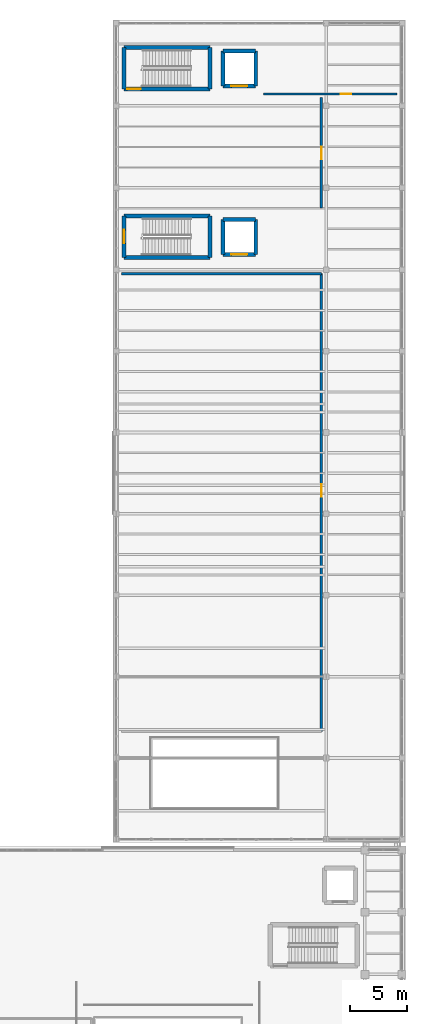
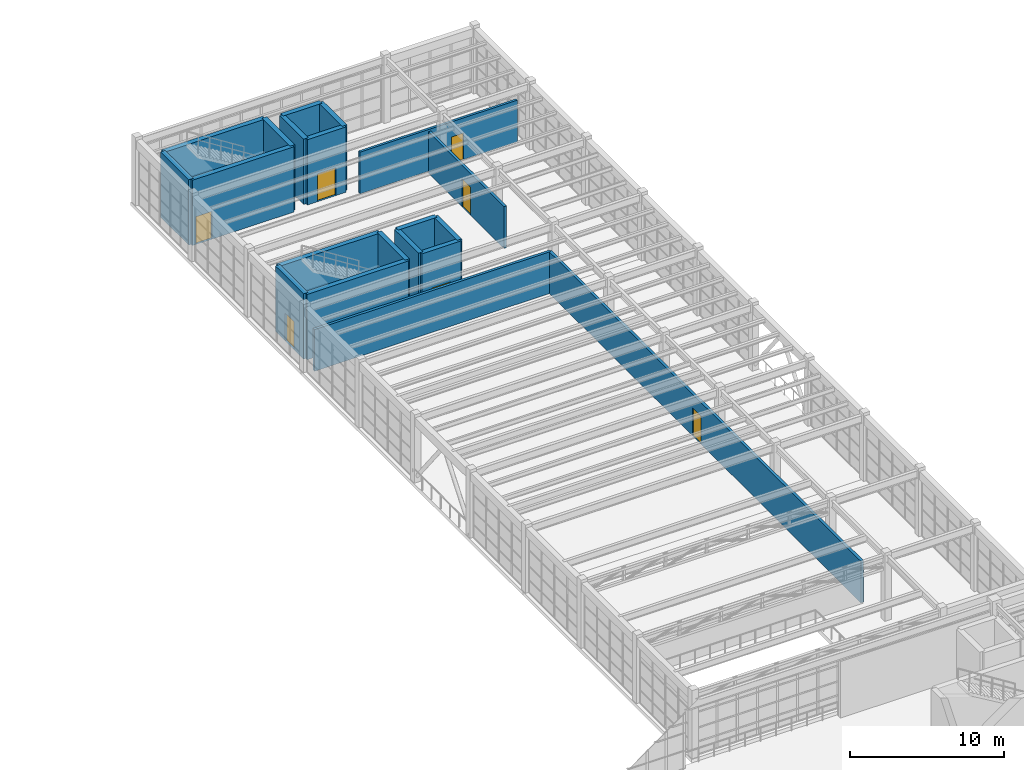
# One storey, part 93 of 103: 20 walls, 7 doors, 7 openings.
"""IFC4 building model written with IfcOpenShell, lengths in metres."""

from ifc_helpers import new_model, si_unit, direction, frame, frame_2d, origin, place, context, subcontext, project, spatial, rectangle, extrude, material, layer, layer_set, type_object, element, fill, save


model = new_model("IFC4")

# Units and contexts
model_context = context("Model", 3, precision=1e-05, world=origin(), true_north=direction((0.0, 1.0)))
body_context = subcontext(model_context, "Body", "Model", "MODEL_VIEW")
ifc_project = project(units=[si_unit("LENGTHUNIT", "METRE"), si_unit("AREAUNIT", "SQUARE_METRE"), si_unit("VOLUMEUNIT", "CUBIC_METRE"), si_unit("PLANEANGLEUNIT", "RADIAN"), si_unit("MASSUNIT", "GRAM", prefix="KILO")], contexts=[model_context])

# Site, building, storey
site_placement = place(None, origin())
site = spatial("IfcSite", under=ifc_project, at=site_placement, CompositionType="ELEMENT")
building_placement = place(site_placement, origin())
building = spatial("IfcBuilding", under=site, at=building_placement, Name="Candilejo Ridge Gondola Terminal", CompositionType="ELEMENT")
storey_placement = place(building_placement, frame((0.0, 0.0, 9.0)))
storey = spatial("IfcBuildingStorey", under=building, at=storey_placement, Name="L02", CompositionType="ELEMENT", Elevation=9.0)

# Wall, opening, door
ifc_material_1 = material(Name="Concrete C20/25 masonry blockwork (f'm 14 MPa)", Category="masonry")
ifc_layer_1 = layer(ifc_material_1, 0.199951171875)
ifc_layer_set_1 = layer_set([ifc_layer_1], Name="ARC-WALL-CMU200-EI120")
wall_type_1 = type_object("IfcWallType", Name="ARC-WALL-CMU200-EI120", PredefinedType="SOLIDWALL", material=ifc_layer_set_1)
wall_1_placement = place(storey_placement, frame((168.14990234375, 58.199951171875, 0.0), z_axis=(0.0, 0.0, 1.0), x_axis=(0.0, 1.0, 0.0)))
wall_1 = element("IfcWall", 1, at=wall_1_placement, inside=storey, type_object=wall_type_1, Name="Interior partition PT-V5-L02-0095", PredefinedType="SOLIDWALL", context=body_context, shape_type="SweptSolid", body=[
    extrude(rectangle(XDim=40.5, YDim=0.199951171875, at=frame_2d((20.25, 0.0))), origin(), (0.0, 0.0, 1.0), 3.300048828125),
])
opening_1_placement = place(wall_1_placement, frame((20.75, 0.0, 0.0)))
opening_1 = element("IfcOpeningElement", 2, at=opening_1_placement, cuts=wall_1, Name="Opening FD-02A", PredefinedType="OPENING", context=body_context, shape_type="SweptSolid", body=[
    extrude(rectangle(XDim=1.10009765625, YDim=2.199951171875, at=frame_2d((0.550048828125, 1.10009765625))), frame((0.0, 0.10986328125, 0.0), z_axis=(0.0, -1.0, 0.0), x_axis=(1.0, 0.0, 0.0)), (0.0, 0.0, 1.0), 0.219970703125),
])
ifc_material_2 = material(Name="Steel ASTM A653 Grade 33 hollow-metal door", Category="steel")
door_type_1 = type_object("IfcDoorType", Name="ARC-DOOR-FD60-1100", OperationType="NOTDEFINED", PredefinedType="DOOR", material=ifc_material_2)
door_1_placement = place(opening_1_placement, origin())
door_1 = element("IfcDoor", 3, at=door_1_placement, inside=storey, type_object=door_type_1, Name="Interior door IDR-0053 (217)", OperationType="SINGLE_SWING_LEFT", OverallHeight=2.199951171875, OverallWidth=1.10009765625, PredefinedType="DOOR", context=body_context, shape_type="SweptSolid", body=[
    extrude(rectangle(XDim=1.10009765625, YDim=2.199951171875, at=frame_2d((0.550048828125, 1.10009765625))), frame((0.0, 0.02490234375, 0.0), z_axis=(0.0, -1.0, 0.0), x_axis=(1.0, 0.0, 0.0)), (0.0, 0.0, 1.0), 0.050048828125),
])
fill(opening_1, door_1)

# Wall
wall_2_placement = place(storey_placement, frame((150.449951171875, 98.699951171875, 0.0), z_axis=(0.0, 0.0, 1.0), x_axis=(1.0, 0.0, 0.0)))
element("IfcWall", 4, at=wall_2_placement, inside=storey, type_object=wall_type_1, Name="Interior partition PT-V5-L02-0097", PredefinedType="SOLIDWALL", context=body_context, shape_type="SweptSolid", body=[
    extrude(rectangle(XDim=17.699951171875, YDim=0.199951171875, at=frame_2d((8.85009765625, 0.0))), origin(), (0.0, 0.0, 1.0), 3.300048828125),
])

# Wall, opening, door
wall_3_placement = place(storey_placement, frame((168.14990234375, 104.5, 0.0), z_axis=(0.0, 0.0, 1.0), x_axis=(0.0, 1.0, 0.0)))
wall_3 = element("IfcWall", 5, at=wall_3_placement, inside=storey, type_object=wall_type_1, Name="Interior partition PT-V5-L02-0098", PredefinedType="SOLIDWALL", context=body_context, shape_type="SweptSolid", body=[
    extrude(rectangle(XDim=9.800048828125, YDim=0.199951171875, at=frame_2d((4.89990234375, 0.0))), origin(), (0.0, 0.0, 1.0), 3.300048828125),
])
opening_2_placement = place(wall_3_placement, frame((4.35009765625, 0.0, 0.0)))
opening_2 = element("IfcOpeningElement", 6, at=opening_2_placement, cuts=wall_3, Name="Opening FD-02A", PredefinedType="OPENING", context=body_context, shape_type="SweptSolid", body=[
    extrude(rectangle(XDim=1.10009765625, YDim=2.199951171875, at=frame_2d((0.550048828125, 1.10009765625))), frame((0.0, 0.10986328125, 0.0), z_axis=(0.0, -1.0, 0.0), x_axis=(1.0, 0.0, 0.0)), (0.0, 0.0, 1.0), 0.219970703125),
])
door_2_placement = place(opening_2_placement, origin())
door_2 = element("IfcDoor", 7, at=door_2_placement, inside=storey, type_object=door_type_1, Name="Interior door IDR-0054 (218)", OperationType="SINGLE_SWING_RIGHT", OverallHeight=2.199951171875, OverallWidth=1.10009765625, PredefinedType="DOOR", context=body_context, shape_type="SweptSolid", body=[
    extrude(rectangle(XDim=1.10009765625, YDim=2.199951171875, at=frame_2d((0.550048828125, 1.10009765625))), frame((0.0, 0.02490234375, 0.0), z_axis=(0.0, -1.0, 0.0), x_axis=(1.0, 0.0, 0.0)), (0.0, 0.0, 1.0), 0.050048828125),
])
fill(opening_2, door_2)

ifc_material_3 = material(Name="Concrete C20/25 masonry blockwork (f'm 14 MPa)", Category="masonry")
ifc_layer_2 = layer(ifc_material_3, 0.179931640625)
ifc_layer_set_2 = layer_set([ifc_layer_2], Name="ARC-WALL-PLUMBING-180")
wall_type_2 = type_object("IfcWallType", Name="ARC-WALL-PLUMBING-180", PredefinedType="PLUMBINGWALL", material=ifc_layer_set_2)
wall_4_placement = place(storey_placement, frame((163.050048828125, 114.60009765625, 0.0), z_axis=(0.0, 0.0, 1.0), x_axis=(1.0, 0.0, 0.0)))
wall_4 = element("IfcWall", 8, at=wall_4_placement, inside=storey, type_object=wall_type_2, Name="Interior partition PT-V5-L02-0099", PredefinedType="PLUMBINGWALL", context=body_context, shape_type="SweptSolid", body=[
    extrude(rectangle(XDim=11.800048828125, YDim=0.179931640625, at=frame_2d((5.89990234375, 0.0))), origin(), (0.0, 0.0, 1.0), 3.300048828125),
])
opening_3_placement = place(wall_4_placement, frame((6.840087890625, 0.0, 0.0)))
opening_3 = element("IfcOpeningElement", 9, at=opening_3_placement, cuts=wall_4, Name="Opening ID-04A", PredefinedType="OPENING", context=body_context, shape_type="SweptSolid", body=[
    extrude(rectangle(XDim=0.919921875, YDim=2.10009765625, at=frame_2d((0.4599609375, 1.050048828125))), frame((0.0, 0.099853515625, 0.0), z_axis=(0.0, -1.0, 0.0), x_axis=(1.0, 0.0, 0.0)), (0.0, 0.0, 1.0), 0.199951171875),
])
ifc_material_4 = material(Name="Solid-core fire-rated hardwood door leaf", Category="wood")
door_type_2 = type_object("IfcDoorType", Name="ARC-DOOR-WC-0920", OperationType="NOTDEFINED", PredefinedType="DOOR", material=ifc_material_4)
door_3_placement = place(opening_3_placement, origin())
door_3 = element("IfcDoor", 10, at=door_3_placement, inside=storey, type_object=door_type_2, Name="Interior door IDR-0055 (220)", OperationType="SINGLE_SWING_LEFT", OverallHeight=2.10009765625, OverallWidth=0.919921875, PredefinedType="DOOR", context=body_context, shape_type="SweptSolid", body=[
    extrude(rectangle(XDim=0.919921875, YDim=2.10009765625, at=frame_2d((0.4599609375, 1.050048828125))), frame((0.0, 0.02490234375, 0.0), z_axis=(0.0, -1.0, 0.0), x_axis=(1.0, 0.0, 0.0)), (0.0, 0.0, 1.0), 0.050048828125),
])
fill(opening_3, door_3)

# Walls
ifc_material_5 = material(Name="Concrete f'c 35 MPa (C35/45)", Category="concrete")
ifc_layer_3 = layer(ifc_material_5, 0.35009765625)
ifc_layer_set_3 = layer_set([ifc_layer_3], Name="STR-CORE-WALL-350")
wall_type_3 = type_object("IfcWallType", Name="STR-CORE-WALL-350", PredefinedType="SHEAR", material=ifc_layer_set_3)
for number, where, z_axis, x_axis, name in (
    (11, (150.699951171875, 100.14990234375, 0.0), (0.0, 0.0, 1.0), (1.0, 0.0, 0.0), "Core stair shear wall SW-C-V5A-L02-ST-S"),
    (12, (158.300048828125, 103.800048828125, 0.0), (0.0, 0.0, 1.0), (-1.0, 0.0, 0.0), "Core stair shear wall SW-C-V5A-L02-ST-N"),
):
    element("IfcWall", number, at=place(storey_placement, frame(where, z_axis=z_axis, x_axis=x_axis)), inside=storey, type_object=wall_type_3, Name=name, PredefinedType="SHEAR", context=body_context, shape_type="SweptSolid", body=[
        extrude(rectangle(XDim=7.60009765625, YDim=0.35009765625, at=frame_2d((3.800048828125, 0.0))), origin(), (0.0, 0.0, 1.0), 5.175048828125),
    ])

# Wall, opening, door
wall_5_placement = place(storey_placement, frame((150.699951171875, 103.800048828125, 0.0), z_axis=(0.0, 0.0, 1.0), x_axis=(0.0, -1.0, 0.0)))
wall_5 = element("IfcWall", 13, at=wall_5_placement, inside=storey, type_object=wall_type_3, Name="Core stair shear wall SW-C-V5A-L02-ST-W", PredefinedType="SHEAR", context=body_context, shape_type="SweptSolid", body=[
    extrude(rectangle(XDim=3.650146484375, YDim=0.35009765625, at=frame_2d((1.8251953125, 0.0))), origin(), (0.0, 0.0, 1.0), 5.175048828125),
])
opening_4_placement = place(wall_5_placement, frame((1.22509765625, 0.0, 0.0)))
opening_4 = element("IfcOpeningElement", 14, at=opening_4_placement, cuts=wall_5, Name="Opening FD-01", PredefinedType="OPENING", context=body_context, shape_type="SweptSolid", body=[
    extrude(rectangle(XDim=1.199951171875, YDim=2.199951171875, at=frame_2d((0.60009765625, 1.10009765625))), frame((0.0, 0.18505859375, 0.0), z_axis=(0.0, -1.0, 0.0), x_axis=(1.0, 0.0, 0.0)), (0.0, 0.0, 1.0), 0.3701171875),
])
ifc_material_6 = material(Name="Steel ASTM A653 Grade 33 hollow-metal door", Category="steel")
door_type_3 = type_object("IfcDoorType", Name="ARC-DOOR-FD90-1200", OperationType="NOTDEFINED", PredefinedType="DOOR", material=ifc_material_6)
door_4_placement = place(opening_4_placement, origin())
door_4 = element("IfcDoor", 15, at=door_4_placement, inside=storey, type_object=door_type_3, Name="Fire stair door SDR-034", OperationType="SINGLE_SWING_RIGHT", OverallHeight=2.199951171875, OverallWidth=1.199951171875, PredefinedType="DOOR", context=body_context, shape_type="SweptSolid", body=[
    extrude(rectangle(XDim=1.199951171875, YDim=2.199951171875, at=frame_2d((0.60009765625, 1.10009765625))), frame((0.0, 0.02490234375, 0.0), z_axis=(0.0, -1.0, 0.0), x_axis=(1.0, 0.0, 0.0)), (0.0, 0.0, 1.0), 0.050048828125),
])
fill(opening_4, door_4)

# Wall
wall_6_placement = place(storey_placement, frame((158.300048828125, 100.14990234375, 0.0), z_axis=(0.0, 0.0, 1.0), x_axis=(0.0, 1.0, 0.0)))
element("IfcWall", 16, at=wall_6_placement, inside=storey, type_object=wall_type_3, Name="Core stair shear wall SW-C-V5A-L02-ST-E", PredefinedType="SHEAR", context=body_context, shape_type="SweptSolid", body=[
    extrude(rectangle(XDim=3.650146484375, YDim=0.35009765625, at=frame_2d((1.8251953125, 0.0))), origin(), (0.0, 0.0, 1.0), 5.175048828125),
])

# Wall, opening, door
wall_7_placement = place(storey_placement, frame((159.449951171875, 100.39990234375, 0.0), z_axis=(0.0, 0.0, 1.0), x_axis=(1.0, 0.0, 0.0)))
wall_7 = element("IfcWall", 17, at=wall_7_placement, inside=storey, type_object=wall_type_3, Name="Lift shaft shear wall SW-C-V5A-L02-LF-S", PredefinedType="SHEAR", context=body_context, shape_type="SweptSolid", body=[
    extrude(rectangle(XDim=2.900146484375, YDim=0.35009765625, at=frame_2d((1.4501953125, 0.0))), origin(), (0.0, 0.0, 1.0), 5.175048828125),
])
opening_5_placement = place(wall_7_placement, frame((0.75, 0.0, 0.0)))
opening_5 = element("IfcOpeningElement", 18, at=opening_5_placement, cuts=wall_7, Name="Opening LD-02", PredefinedType="OPENING", context=body_context, shape_type="SweptSolid", body=[
    extrude(rectangle(XDim=1.39990234375, YDim=2.199951171875, at=frame_2d((0.699951171875, 1.10009765625))), frame((0.0, 0.18505859375, 0.0), z_axis=(0.0, -1.0, 0.0), x_axis=(1.0, 0.0, 0.0)), (0.0, 0.0, 1.0), 0.3701171875),
])
ifc_material_7 = material(Name="Brushed stainless steel AISI 316", Category="steel")
door_type_4 = type_object("IfcDoorType", Name="ARC-LIFT-DOOR-1400", OperationType="NOTDEFINED", PredefinedType="DOOR", material=ifc_material_7)
door_5_placement = place(opening_5_placement, origin())
door_5 = element("IfcDoor", 19, at=door_5_placement, inside=storey, type_object=door_type_4, Name="Elevator landing door LDR-034", OperationType="SLIDING_TO_LEFT", OverallHeight=2.199951171875, OverallWidth=1.39990234375, PredefinedType="DOOR", context=body_context, shape_type="SweptSolid", body=[
    extrude(rectangle(XDim=1.39990234375, YDim=2.199951171875, at=frame_2d((0.699951171875, 1.10009765625))), frame((0.0, 0.02490234375, 0.0), z_axis=(0.0, -1.0, 0.0), x_axis=(1.0, 0.0, 0.0)), (0.0, 0.0, 1.0), 0.050048828125),
])
fill(opening_5, door_5)

# Walls
wall_8_placement = place(storey_placement, frame((159.449951171875, 103.5, 0.0), z_axis=(0.0, 0.0, 1.0), x_axis=(1.0, 0.0, 0.0)))
element("IfcWall", 20, at=wall_8_placement, inside=storey, type_object=wall_type_3, Name="Lift shaft shear wall SW-C-V5A-L02-LF-N", PredefinedType="SHEAR", context=body_context, shape_type="SweptSolid", body=[
    extrude(rectangle(XDim=2.900146484375, YDim=0.35009765625, at=frame_2d((1.4501953125, 0.0))), origin(), (0.0, 0.0, 1.0), 5.175048828125),
])
for number, where, z_axis, x_axis, name in (
    (21, (159.449951171875, 100.39990234375, 0.0), (0.0, 0.0, 1.0), (0.0, 1.0, 0.0), "Lift shaft shear wall SW-C-V5A-L02-LF-W"),
    (22, (162.35009765625, 100.39990234375, 0.0), (0.0, 0.0, 1.0), (0.0, 1.0, 0.0), "Lift shaft shear wall SW-C-V5A-L02-LF-E"),
):
    element("IfcWall", number, at=place(storey_placement, frame(where, z_axis=z_axis, x_axis=x_axis)), inside=storey, type_object=wall_type_3, Name=name, PredefinedType="SHEAR", context=body_context, shape_type="SweptSolid", body=[
        extrude(rectangle(XDim=3.10009765625, YDim=0.35009765625, at=frame_2d((1.550048828125, 0.0))), origin(), (0.0, 0.0, 1.0), 5.175048828125),
    ])

# Wall, opening, door
wall_9_placement = place(storey_placement, frame((150.699951171875, 115.050048828125, 0.0), z_axis=(0.0, 0.0, 1.0), x_axis=(1.0, 0.0, 0.0)))
wall_9 = element("IfcWall", 23, at=wall_9_placement, inside=storey, type_object=wall_type_3, Name="Core stair shear wall SW-C-V5B-L02-ST-S", PredefinedType="SHEAR", context=body_context, shape_type="SweptSolid", body=[
    extrude(rectangle(XDim=7.60009765625, YDim=0.35009765625, at=frame_2d((3.800048828125, 0.0))), origin(), (0.0, 0.0, 1.0), 5.175048828125),
])
opening_6_placement = place(wall_9_placement, frame((0.280029296875, 0.0, 0.0)))
opening_6 = element("IfcOpeningElement", 24, at=opening_6_placement, cuts=wall_9, Name="Opening FD-01", PredefinedType="OPENING", context=body_context, shape_type="SweptSolid", body=[
    extrude(rectangle(XDim=1.199951171875, YDim=2.199951171875, at=frame_2d((0.60009765625, 1.10009765625))), frame((0.0, 0.18505859375, 0.0), z_axis=(0.0, -1.0, 0.0), x_axis=(1.0, 0.0, 0.0)), (0.0, 0.0, 1.0), 0.3701171875),
])
door_6_placement = place(opening_6_placement, origin())
door_6 = element("IfcDoor", 25, at=door_6_placement, inside=storey, type_object=door_type_3, Name="Fire stair door SDR-039", OperationType="SINGLE_SWING_LEFT", OverallHeight=2.199951171875, OverallWidth=1.199951171875, PredefinedType="DOOR", context=body_context, shape_type="SweptSolid", body=[
    extrude(rectangle(XDim=1.199951171875, YDim=2.199951171875, at=frame_2d((0.60009765625, 1.10009765625))), frame((0.0, 0.02490234375, 0.0), z_axis=(0.0, -1.0, 0.0), x_axis=(1.0, 0.0, 0.0)), (0.0, 0.0, 1.0), 0.050048828125),
])
fill(opening_6, door_6)

# Walls
wall_10_placement = place(storey_placement, frame((158.300048828125, 118.699951171875, 0.0), z_axis=(0.0, 0.0, 1.0), x_axis=(-1.0, 0.0, 0.0)))
element("IfcWall", 26, at=wall_10_placement, inside=storey, type_object=wall_type_3, Name="Core stair shear wall SW-C-V5B-L02-ST-N", PredefinedType="SHEAR", context=body_context, shape_type="SweptSolid", body=[
    extrude(rectangle(XDim=7.60009765625, YDim=0.35009765625, at=frame_2d((3.800048828125, 0.0))), origin(), (0.0, 0.0, 1.0), 5.175048828125),
])
for number, where, z_axis, x_axis, name in (
    (27, (150.699951171875, 118.699951171875, 0.0), (0.0, 0.0, 1.0), (0.0, -1.0, 0.0), "Core stair shear wall SW-C-V5B-L02-ST-W"),
    (28, (158.300048828125, 115.050048828125, 0.0), (0.0, 0.0, 1.0), (0.0, 1.0, 0.0), "Core stair shear wall SW-C-V5B-L02-ST-E"),
):
    element("IfcWall", number, at=place(storey_placement, frame(where, z_axis=z_axis, x_axis=x_axis)), inside=storey, type_object=wall_type_3, Name=name, PredefinedType="SHEAR", context=body_context, shape_type="SweptSolid", body=[
        extrude(rectangle(XDim=3.64990234375, YDim=0.35009765625, at=frame_2d((1.824951171875, 0.0))), origin(), (0.0, 0.0, 1.0), 5.175048828125),
    ])

# Wall, opening, door
wall_11_placement = place(storey_placement, frame((159.449951171875, 115.300048828125, 0.0), z_axis=(0.0, 0.0, 1.0), x_axis=(1.0, 0.0, 0.0)))
wall_11 = element("IfcWall", 29, at=wall_11_placement, inside=storey, type_object=wall_type_3, Name="Lift shaft shear wall SW-C-V5B-L02-LF-S", PredefinedType="SHEAR", context=body_context, shape_type="SweptSolid", body=[
    extrude(rectangle(XDim=2.900146484375, YDim=0.35009765625, at=frame_2d((1.4501953125, 0.0))), origin(), (0.0, 0.0, 1.0), 5.175048828125),
])
opening_7_placement = place(wall_11_placement, frame((0.75, 0.0, 0.0)))
opening_7 = element("IfcOpeningElement", 30, at=opening_7_placement, cuts=wall_11, Name="Opening LD-02", PredefinedType="OPENING", context=body_context, shape_type="SweptSolid", body=[
    extrude(rectangle(XDim=1.39990234375, YDim=2.199951171875, at=frame_2d((0.699951171875, 1.10009765625))), frame((0.0, 0.18505859375, 0.0), z_axis=(0.0, -1.0, 0.0), x_axis=(1.0, 0.0, 0.0)), (0.0, 0.0, 1.0), 0.3701171875),
])
door_7_placement = place(opening_7_placement, origin())
door_7 = element("IfcDoor", 31, at=door_7_placement, inside=storey, type_object=door_type_4, Name="Elevator landing door LDR-039", OperationType="SLIDING_TO_LEFT", OverallHeight=2.199951171875, OverallWidth=1.39990234375, PredefinedType="DOOR", context=body_context, shape_type="SweptSolid", body=[
    extrude(rectangle(XDim=1.39990234375, YDim=2.199951171875, at=frame_2d((0.699951171875, 1.10009765625))), frame((0.0, 0.02490234375, 0.0), z_axis=(0.0, -1.0, 0.0), x_axis=(1.0, 0.0, 0.0)), (0.0, 0.0, 1.0), 0.050048828125),
])
fill(opening_7, door_7)

# Walls
wall_12_placement = place(storey_placement, frame((159.449951171875, 118.39990234375, 0.0), z_axis=(0.0, 0.0, 1.0), x_axis=(1.0, 0.0, 0.0)))
element("IfcWall", 32, at=wall_12_placement, inside=storey, type_object=wall_type_3, Name="Lift shaft shear wall SW-C-V5B-L02-LF-N", PredefinedType="SHEAR", context=body_context, shape_type="SweptSolid", body=[
    extrude(rectangle(XDim=2.900146484375, YDim=0.35009765625, at=frame_2d((1.4501953125, 0.0))), origin(), (0.0, 0.0, 1.0), 5.175048828125),
])
for number, where, z_axis, x_axis, name in (
    (33, (159.449951171875, 115.300048828125, 0.0), (0.0, 0.0, 1.0), (0.0, 1.0, 0.0), "Lift shaft shear wall SW-C-V5B-L02-LF-W"),
    (34, (162.35009765625, 115.300048828125, 0.0), (0.0, 0.0, 1.0), (0.0, 1.0, 0.0), "Lift shaft shear wall SW-C-V5B-L02-LF-E"),
):
    element("IfcWall", number, at=place(storey_placement, frame(where, z_axis=z_axis, x_axis=x_axis)), inside=storey, type_object=wall_type_3, Name=name, PredefinedType="SHEAR", context=body_context, shape_type="SweptSolid", body=[
        extrude(rectangle(XDim=3.099853515625, YDim=0.35009765625, at=frame_2d((1.5498046875, 0.0))), origin(), (0.0, 0.0, 1.0), 5.175048828125),
    ])

save(model, "model.ifc")
